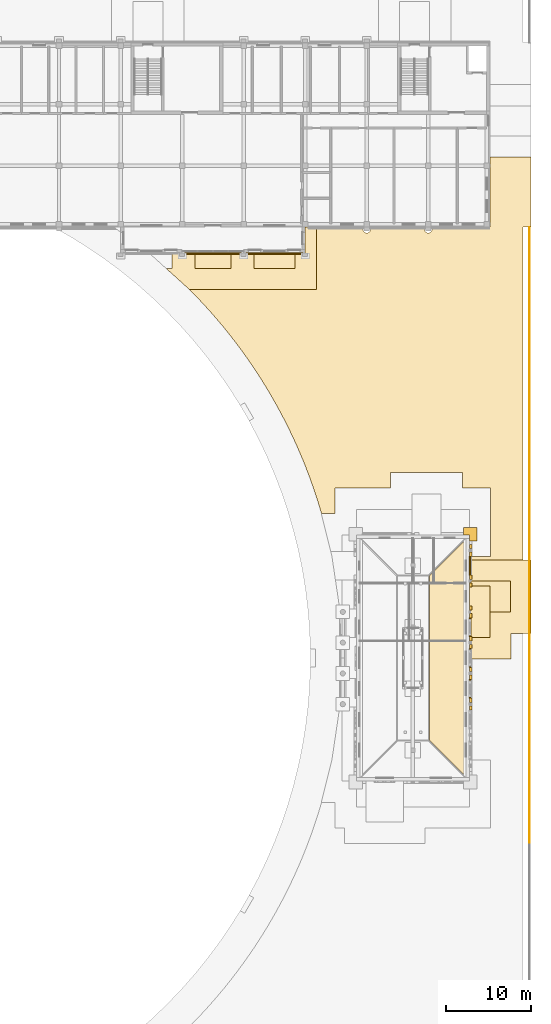
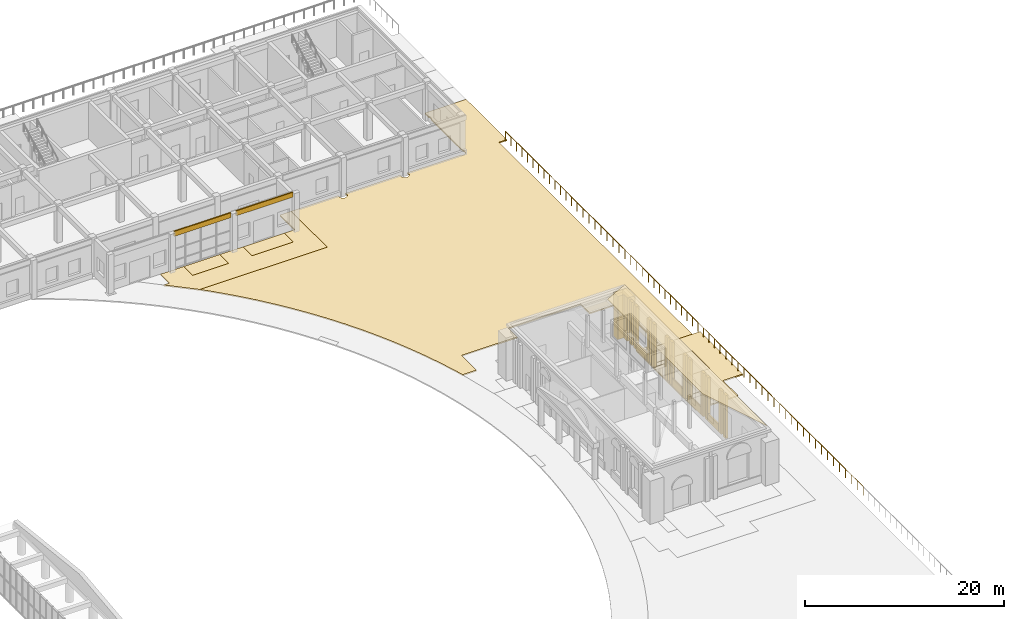
# One storey, part 126 of 131: 27 coverings, 5 railings.
"""IFC4 building model written with IfcOpenShell, lengths in metres."""

import ifcopenshell
import ifcopenshell.guid

model = None  # the IFC model being written
_history = None  # IfcOwnerHistory: only IFC2X3 demands one
_inside = {}  # id of a spatial element -> (the spatial element, [elements in it])
_under = {}  # id of a project, library or spatial element -> (it, [spatial elements below it])
_declared = {}  # id of a project -> (the project, [libraries it declares])
_typed = {}  # id of a type object -> (the type object, [elements of that type])
_made_of = {}  # id of a material, layer set ... -> (it, [elements and type objects made of it])


def new_model(schema):
    """Start an empty IFC model of exactly this schema.

    Asked for "IFC4X3", IfcOpenShell would pick the latest addendum, in which some entities
    have other attributes; the version numbers below select the first issue.
    IFC2X3 requires an IfcOwnerHistory on every rooted entity: one is made here for all.
    """
    global model, _history
    if schema == "IFC4X3":
        model = ifcopenshell.file(schema_version=(4, 3, 0, 0))
    else:
        model = ifcopenshell.file(schema=schema)
    _inside.clear()
    _under.clear()
    _declared.clear()
    _typed.clear()
    _made_of.clear()
    _history = None
    if model.schema == "IFC2X3":
        org = make("IfcOrganization", Name="unknown")
        user = make(
            "IfcPersonAndOrganization",
            ThePerson=make("IfcPerson", FamilyName="unknown"),
            TheOrganization=org,
        )
        app = make(
            "IfcApplication",
            ApplicationDeveloper=org,
            Version="unknown",
            ApplicationFullName="unknown",
            ApplicationIdentifier="unknown",
        )
        _history = make(
            "IfcOwnerHistory",
            OwningUser=user,
            OwningApplication=app,
            ChangeAction="ADDED",
            CreationDate=0,
        )
    return model


def make(cls, **values):
    """One entity of the class cls with the attributes given. An attribute that is None is left unset."""
    return model.create_entity(
        cls, **{name: value for name, value in values.items() if value is not None}
    )


def rooted(cls, **values):
    """An entity with a GlobalId (a new one), such as an element, a storey or a relation."""
    return make(cls, GlobalId=ifcopenshell.guid.new(), OwnerHistory=_history, **values)


def si_unit(unit_type, name, prefix=None):
    """IfcSIUnit, for example si_unit("LENGTHUNIT", "METRE", prefix="MILLI")."""
    return make("IfcSIUnit", UnitType=unit_type, Prefix=prefix, Name=name)


def assignment(units):
    """IfcUnitAssignment: the units of a project."""
    return None if units is None else make("IfcUnitAssignment", Units=units)


def point(xyz):
    """IfcCartesianPoint."""
    return None if xyz is None else make("IfcCartesianPoint", Coordinates=xyz)


def direction(xyz):
    """IfcDirection."""
    return None if xyz is None else make("IfcDirection", DirectionRatios=xyz)


def frame(location, z_axis=None, x_axis=None):
    """IfcAxis2Placement3D, a coordinate frame: its origin and axes. An axis left out is left unset."""
    return make(
        "IfcAxis2Placement3D",
        Location=point(location),
        Axis=direction(z_axis),
        RefDirection=direction(x_axis),
    )


def frame_2d(location, x_axis=None):
    """IfcAxis2Placement2D, a coordinate frame in the plane: its origin and x axis."""
    return make(
        "IfcAxis2Placement2D", Location=point(location), RefDirection=direction(x_axis)
    )


def origin():
    """The frame at (0, 0, 0) with its axes left unset."""
    return frame((0.0, 0.0, 0.0))


def origin_2d():
    """The frame at (0, 0) in the plane with its x axis left unset."""
    return frame_2d((0.0, 0.0))


def place(relative_to, where):
    """IfcLocalPlacement: puts the frame where relative to a parent placement (None: the world)."""
    return make(
        "IfcLocalPlacement", PlacementRelTo=relative_to, RelativePlacement=where
    )


def context(
    kind, dimensions, precision=None, world=None, true_north=None, identifier=None
):
    """IfcGeometricRepresentationContext, for example the 3D "Model" context."""
    return make(
        "IfcGeometricRepresentationContext",
        ContextIdentifier=identifier,
        ContextType=kind,
        CoordinateSpaceDimension=dimensions,
        Precision=precision,
        WorldCoordinateSystem=world,
        TrueNorth=true_north,
    )


def subcontext(parent, identifier, kind, view, scale=None):
    """IfcGeometricRepresentationSubContext, for example "Body" below "Model"."""
    return make(
        "IfcGeometricRepresentationSubContext",
        ContextIdentifier=identifier,
        ContextType=kind,
        ParentContext=parent,
        TargetScale=scale,
        TargetView=view,
    )


def project(units=None, contexts=None):
    """IfcProject with its units and contexts."""
    return rooted(
        "IfcProject",
        Name="project",
        RepresentationContexts=contexts,
        UnitsInContext=assignment(units),
    )


def spatial(cls, under=None, at=None, **own):
    """A site, building, storey or space (cls), placed at a placement, below another one or the project."""
    s = rooted(cls, ObjectPlacement=at, **own)
    if under is not None:
        _under.setdefault(under.id(), (under, []))[1].append(s)
    return s


def polyline(points):
    """IfcPolyline through the points."""
    return make("IfcPolyline", Points=[point(p) for p in points])


def profile(cls, at=None, kind="AREA", **sizes):
    """A parametric profile (cls). Its sizes go by their IFC names, for example OverallWidth=200.0."""
    return make(cls, ProfileType=kind, Position=at, **sizes)


def rectangle(**sizes):
    """IfcRectangleProfileDef."""
    return profile("IfcRectangleProfileDef", **sizes)


def circle(**sizes):
    """IfcCircleProfileDef."""
    return profile("IfcCircleProfileDef", **sizes)


def outline(outer, holes=None, kind="AREA"):
    """IfcArbitraryClosedProfileDef: a profile drawn as a closed curve; with holes, ...WithVoids."""
    if holes is None:
        return make("IfcArbitraryClosedProfileDef", ProfileType=kind, OuterCurve=outer)
    return make(
        "IfcArbitraryProfileDefWithVoids",
        ProfileType=kind,
        OuterCurve=outer,
        InnerCurves=holes,
    )


def extrude(swept, where, along, depth):
    """IfcExtrudedAreaSolid: the profile swept, set in the frame where, extruded along a direction by depth."""
    return make(
        "IfcExtrudedAreaSolid",
        SweptArea=swept,
        Position=where,
        ExtrudedDirection=direction(along),
        Depth=depth,
    )


def shape(context_of_items, identifier, shape_type, items):
    """IfcShapeRepresentation: the items that make up one representation, for example the "Body"."""
    return make(
        "IfcShapeRepresentation",
        ContextOfItems=context_of_items,
        RepresentationIdentifier=identifier,
        RepresentationType=shape_type,
        Items=items,
    )


def material(Name=None, Category=None):
    """IfcMaterial."""
    return make("IfcMaterial", Name=Name, Category=Category)


def layer(
    of_material, thickness, ventilated=None, Name=None, Category=None, Priority=None
):
    """IfcMaterialLayer: one layer of a wall or slab, of a material (None: an air gap)."""
    return make(
        "IfcMaterialLayer",
        Material=of_material,
        LayerThickness=thickness,
        IsVentilated=ventilated,
        Name=Name,
        Category=Category,
        Priority=Priority,
    )


def layer_set(layers, Name=None):
    """IfcMaterialLayerSet."""
    return make("IfcMaterialLayerSet", MaterialLayers=layers, LayerSetName=Name)


def made_of(thing, what):
    """Note that an element or type object is made of a material, layer set ...; save() writes the relation."""
    if what is not None:
        _made_of.setdefault(what.id(), (what, []))[1].append(thing)
    return thing


def type_object(cls, material=None, **own):
    """A type object (cls), such as IfcWallType, which elements share."""
    return made_of(rooted(cls, **own), material)


def element(
    cls,
    number,
    at=None,
    inside=None,
    cuts=None,
    type_object=None,
    material=None,
    context=None,
    identifier="Body",
    shape_type=None,
    held_by="IfcProductDefinitionShape",
    body=None,
    shapes=None,
    **own,
):
    """One element of the class cls, such as IfcWall. Its Tag is "e" and its number.

    at: its placement. inside: the storey or other place that contains it. cuts: it is an
    opening in that element (IfcRelVoidsElement). A single representation is given by context,
    identifier, shape_type and body (its items); several are given by shapes. held_by: the class
    of the entity that holds the representations. save() writes the other relations.
    """
    e = rooted(cls, Tag="e%d" % number, ObjectPlacement=at, **own)
    if body is not None:
        shapes = [shape(context, identifier, shape_type, body)]
    if shapes is not None:
        e.Representation = make(held_by, Representations=shapes)
    if inside is not None:
        _inside.setdefault(inside.id(), (inside, []))[1].append(e)
    if cuts is not None:
        rooted(
            "IfcRelVoidsElement", RelatingBuildingElement=cuts, RelatedOpeningElement=e
        )
    if type_object is not None:
        _typed.setdefault(type_object.id(), (type_object, []))[1].append(e)
    return made_of(e, material)


def aggregate(whole, parts):
    """IfcRelAggregates: a whole, such as a stair, and the parts it consists of."""
    return rooted("IfcRelAggregates", RelatingObject=whole, RelatedObjects=parts)


def save(model, path):
    """Write the relations noted so far, then the file.

    IfcRelAggregates (storeys below a building ...), IfcRelContainedInSpatialStructure (elements
    in a storey), IfcRelDefinesByType, IfcRelAssociatesMaterial and IfcRelDeclares: one each for
    every whole, place, type object, material and project.
    """
    for whole, parts in _under.values():
        aggregate(whole, parts)
    for where, things in _inside.values():
        rooted(
            "IfcRelContainedInSpatialStructure",
            RelatedElements=things,
            RelatingStructure=where,
        )
    for kind, things in _typed.values():
        rooted("IfcRelDefinesByType", RelatedObjects=things, RelatingType=kind)
    for what, things in _made_of.values():
        rooted("IfcRelAssociatesMaterial", RelatedObjects=things, RelatingMaterial=what)
    for by, libraries in _declared.values():
        rooted("IfcRelDeclares", RelatingContext=by, RelatedDefinitions=libraries)
    model.write(path)


model = new_model("IFC4")

# Units and contexts
model_context = context("Model", 3, precision=1e-05, world=origin(), true_north=direction((0.0, 1.0)))
body_context = subcontext(model_context, "Body", "Model", "MODEL_VIEW")
ifc_project = project(units=[si_unit("LENGTHUNIT", "METRE"), si_unit("AREAUNIT", "SQUARE_METRE"), si_unit("VOLUMEUNIT", "CUBIC_METRE"), si_unit("PLANEANGLEUNIT", "RADIAN"), si_unit("MASSUNIT", "GRAM", prefix="KILO")], contexts=[model_context])

# Site, building, storey
site_placement = place(None, origin())
site = spatial("IfcSite", under=ifc_project, at=site_placement, CompositionType="ELEMENT")
building_placement = place(site_placement, origin())
building = spatial("IfcBuilding", under=site, at=building_placement, Name="Alderwick Market Hall", CompositionType="ELEMENT")
storey_placement = place(building_placement, frame((0.0, 0.0, 4.800048828125)))
storey = spatial("IfcBuildingStorey", under=building, at=storey_placement, Name="L00", CompositionType="ELEMENT", Elevation=4.800048828125)

# Coverings
ifc_material_1 = material(Name="Cast stone 5000 psi", Category="masonry")
ifc_layer_1 = layer(ifc_material_1, 0.14990234375)
ifc_layer_set_1 = layer_set([ifc_layer_1], Name="Cast stone 5000 psi")
covering_type_1 = type_object("IfcCoveringType", Name="F String Course Cast Stone 150x600", PredefinedType="CLADDING", material=ifc_layer_set_1)
for number, where, z_axis, x_axis, name in (
    (1, (201.300048828125, 126.52490234375, 4.199951171875), (0.0, 0.0, 1.0), (-1.0, 0.0, 0.0), "F.wall.L00.band.pav1.02"),
    (2, (208.5, 126.52490234375, 4.199951171875), (0.0, 0.0, 1.0), (-1.0, 0.0, 0.0), "F.wall.L00.band.pav1.03"),
):
    element("IfcCovering", number, at=place(storey_placement, frame(where, z_axis=z_axis, x_axis=x_axis)), inside=storey, type_object=covering_type_1, Name=name, PredefinedType="CLADDING", context=body_context, shape_type="SweptSolid", body=[
        extrude(rectangle(XDim=6.60009765625, YDim=0.14990234375, at=frame_2d((3.300048828125, 0.0))), origin(), (0.0, 0.0, 1.0), 0.60009765625),
    ])
ifc_layer_2 = layer(ifc_material_1, 0.14990234375)
ifc_layer_set_2 = layer_set([ifc_layer_2], Name="Cast stone 5000 psi")
covering_type_2 = type_object("IfcCoveringType", Name="G Base course 150", PredefinedType="CLADDING", material=ifc_layer_set_2)
covering_1_placement = place(storey_placement, origin())
element("IfcCovering", 3, at=covering_1_placement, inside=storey, type_object=covering_type_2, Name="Base course E3", PredefinedType="CLADDING", context=body_context, shape_type="SweptSolid", body=[
    extrude(outline(polyline([(228.0, 74.5), (228.14990234375, 74.5), (228.14990234375, 76.699951171875), (228.0, 76.699951171875), (228.0, 74.5)])), origin(), (0.0, 0.0, 1.0), 0.89990234375),
])
covering_2_placement = place(storey_placement, origin())
element("IfcCovering", 4, at=covering_2_placement, inside=storey, type_object=covering_type_2, Name="Base course E4", PredefinedType="CLADDING", context=body_context, shape_type="SweptSolid", body=[
    extrude(outline(polyline([(228.0, 78.10009765625), (228.14990234375, 78.10009765625), (228.14990234375, 80.300048828125), (228.0, 80.300048828125), (228.0, 78.10009765625)])), origin(), (0.0, 0.0, 1.0), 0.89990234375),
])
covering_3_placement = place(storey_placement, origin())
element("IfcCovering", 5, at=covering_3_placement, inside=storey, type_object=covering_type_2, Name="Base course E5", PredefinedType="CLADDING", context=body_context, shape_type="SweptSolid", body=[
    extrude(outline(polyline([(228.0, 81.699951171875), (228.14990234375, 81.699951171875), (228.14990234375, 83.89990234375), (228.0, 83.89990234375), (228.0, 81.699951171875)])), origin(), (0.0, 0.0, 1.0), 0.89990234375),
])
covering_4_placement = place(storey_placement, origin())
element("IfcCovering", 6, at=covering_4_placement, inside=storey, type_object=covering_type_2, Name="Base course E7", PredefinedType="CLADDING", context=body_context, shape_type="SweptSolid", body=[
    extrude(outline(polyline([(228.0, 88.89990234375), (228.14990234375, 88.89990234375), (228.14990234375, 91.10009765625), (228.0, 91.10009765625), (228.0, 88.89990234375)])), origin(), (0.0, 0.0, 1.0), 0.89990234375),
])
ifc_material_2 = material(Name="Copper standing seam roofing")
ifc_layer_3 = layer(ifc_material_2, 0.00390625)
ifc_layer_set_3 = layer_set([ifc_layer_3], Name="Copper standing seam roofing")
covering_type_3 = type_object("IfcCoveringType", Name="G Copper roofing 4 mm", PredefinedType="ROOFING", material=ifc_layer_set_3)
covering_5_placement = place(storey_placement, frame((228.126953125, 64.800048828125, 6.52001953125), z_axis=(0.499990629522, 0.0, 0.866030813765), x_axis=(0.0, 1.0, 0.0)))
element("IfcCovering", 7, at=covering_5_placement, inside=storey, type_object=covering_type_3, Name="Copper roofing E", PredefinedType="ROOFING", context=body_context, shape_type="SweptSolid", body=[
    extrude(outline(polyline([(0.0, 0.0), (28.800048828125, 0.0), (24.0, 5.54258434207392), (4.800048828125, 5.54258434207392), (0.0, 0.0)])), origin(), (0.0, 0.0, -1.0), 0.00390625),
])
ifc_material_3 = material(Name="Granite setts on concrete bed", Category="masonry")
ifc_layer_4 = layer(ifc_material_3, 0.199951171875)
ifc_layer_set_4 = layer_set([ifc_layer_4], Name="Granite setts on concrete bed")
covering_type_4 = type_object("IfcCoveringType", Name="G Paving 200", PredefinedType="USERDEFINED", material=ifc_layer_set_4)
covering_6_placement = place(storey_placement, frame((0.0, 0.0, -0.199951171875)))
element("IfcCovering", 8, at=covering_6_placement, inside=storey, type_object=covering_type_4, Name="Pavilion bin yard paving", ObjectType="PAVING", PredefinedType="USERDEFINED", context=body_context, shape_type="SweptSolid", body=[
    extrude(outline(polyline([(228.0, 81.60009765625), (230.39990234375, 81.60009765625), (230.39990234375, 87.60009765625), (228.0, 87.60009765625), (228.0, 81.60009765625)])), origin(), (0.0, 0.0, 1.0), 0.199951171875),
])
ifc_layer_5 = layer(ifc_material_1, 0.300048828125)
ifc_layer_set_5 = layer_set([ifc_layer_5], Name="Cast stone 5000 psi")
covering_type_5 = type_object("IfcCoveringType", Name="G Pilaster 500", PredefinedType="CLADDING", material=ifc_layer_set_5)
covering_7_placement = place(storey_placement, origin())
element("IfcCovering", 9, at=covering_7_placement, inside=storey, type_object=covering_type_5, Name="Pilaster E3", PredefinedType="CLADDING", context=body_context, shape_type="SweptSolid", body=[
    extrude(outline(polyline([(228.0, 73.10009765625), (228.300048828125, 73.10009765625), (228.300048828125, 73.60009765625), (228.0, 73.60009765625), (228.0, 73.10009765625)])), origin(), (0.0, 0.0, 1.0), 5.300048828125),
])
covering_8_placement = place(storey_placement, origin())
element("IfcCovering", 10, at=covering_8_placement, inside=storey, type_object=covering_type_5, Name="Pilaster E3", PredefinedType="CLADDING", context=body_context, shape_type="SweptSolid", body=[
    extrude(outline(polyline([(228.0, 74.0), (228.300048828125, 74.0), (228.300048828125, 74.5), (228.0, 74.5), (228.0, 74.0)])), origin(), (0.0, 0.0, 1.0), 5.300048828125),
])
covering_9_placement = place(storey_placement, origin())
element("IfcCovering", 11, at=covering_9_placement, inside=storey, type_object=covering_type_5, Name="Pilaster E4", PredefinedType="CLADDING", context=body_context, shape_type="SweptSolid", body=[
    extrude(outline(polyline([(228.0, 76.699951171875), (228.300048828125, 76.699951171875), (228.300048828125, 77.199951171875), (228.0, 77.199951171875), (228.0, 76.699951171875)])), origin(), (0.0, 0.0, 1.0), 5.300048828125),
])
covering_10_placement = place(storey_placement, origin())
element("IfcCovering", 12, at=covering_10_placement, inside=storey, type_object=covering_type_5, Name="Pilaster E4", PredefinedType="CLADDING", context=body_context, shape_type="SweptSolid", body=[
    extrude(outline(polyline([(228.0, 77.60009765625), (228.300048828125, 77.60009765625), (228.300048828125, 78.10009765625), (228.0, 78.10009765625), (228.0, 77.60009765625)])), origin(), (0.0, 0.0, 1.0), 5.300048828125),
])
covering_11_placement = place(storey_placement, origin())
element("IfcCovering", 13, at=covering_11_placement, inside=storey, type_object=covering_type_5, Name="Pilaster E5", PredefinedType="CLADDING", context=body_context, shape_type="SweptSolid", body=[
    extrude(outline(polyline([(228.0, 80.300048828125), (228.300048828125, 80.300048828125), (228.300048828125, 80.800048828125), (228.0, 80.800048828125), (228.0, 80.300048828125)])), origin(), (0.0, 0.0, 1.0), 5.300048828125),
])
covering_12_placement = place(storey_placement, origin())
element("IfcCovering", 14, at=covering_12_placement, inside=storey, type_object=covering_type_5, Name="Pilaster E5", PredefinedType="CLADDING", context=body_context, shape_type="SweptSolid", body=[
    extrude(outline(polyline([(228.0, 81.199951171875), (228.300048828125, 81.199951171875), (228.300048828125, 81.699951171875), (228.0, 81.699951171875), (228.0, 81.199951171875)])), origin(), (0.0, 0.0, 1.0), 5.300048828125),
])
covering_13_placement = place(storey_placement, origin())
element("IfcCovering", 15, at=covering_13_placement, inside=storey, type_object=covering_type_5, Name="Pilaster E6", PredefinedType="CLADDING", context=body_context, shape_type="SweptSolid", body=[
    extrude(outline(polyline([(228.0, 83.89990234375), (228.300048828125, 83.89990234375), (228.300048828125, 84.39990234375), (228.0, 84.39990234375), (228.0, 83.89990234375)])), origin(), (0.0, 0.0, 1.0), 5.300048828125),
])
covering_14_placement = place(storey_placement, origin())
element("IfcCovering", 16, at=covering_14_placement, inside=storey, type_object=covering_type_5, Name="Pilaster E6", PredefinedType="CLADDING", context=body_context, shape_type="SweptSolid", body=[
    extrude(outline(polyline([(228.0, 84.800048828125), (228.300048828125, 84.800048828125), (228.300048828125, 85.300048828125), (228.0, 85.300048828125), (228.0, 84.800048828125)])), origin(), (0.0, 0.0, 1.0), 5.300048828125),
])
covering_15_placement = place(storey_placement, origin())
element("IfcCovering", 17, at=covering_15_placement, inside=storey, type_object=covering_type_5, Name="Pilaster E7", PredefinedType="CLADDING", context=body_context, shape_type="SweptSolid", body=[
    extrude(outline(polyline([(228.0, 87.5), (228.300048828125, 87.5), (228.300048828125, 88.0), (228.0, 88.0), (228.0, 87.5)])), origin(), (0.0, 0.0, 1.0), 5.300048828125),
])
covering_16_placement = place(storey_placement, origin())
element("IfcCovering", 18, at=covering_16_placement, inside=storey, type_object=covering_type_5, Name="Pilaster E7", PredefinedType="CLADDING", context=body_context, shape_type="SweptSolid", body=[
    extrude(outline(polyline([(228.0, 88.39990234375), (228.300048828125, 88.39990234375), (228.300048828125, 88.89990234375), (228.0, 88.89990234375), (228.0, 88.39990234375)])), origin(), (0.0, 0.0, 1.0), 5.300048828125),
])
covering_17_placement = place(storey_placement, origin())
element("IfcCovering", 19, at=covering_17_placement, inside=storey, type_object=covering_type_5, Name="Pilaster E8", PredefinedType="CLADDING", context=body_context, shape_type="SweptSolid", body=[
    extrude(outline(polyline([(228.0, 91.10009765625), (228.300048828125, 91.10009765625), (228.300048828125, 91.60009765625), (228.0, 91.60009765625), (228.0, 91.10009765625)])), origin(), (0.0, 0.0, 1.0), 5.300048828125),
])
covering_18_placement = place(storey_placement, origin())
element("IfcCovering", 20, at=covering_18_placement, inside=storey, type_object=covering_type_5, Name="Pilaster E8", PredefinedType="CLADDING", context=body_context, shape_type="SweptSolid", body=[
    extrude(outline(polyline([(228.0, 92.0), (228.300048828125, 92.0), (228.300048828125, 92.5), (228.0, 92.5), (228.0, 92.0)])), origin(), (0.0, 0.0, 1.0), 5.300048828125),
])
ifc_layer_6 = layer(ifc_material_1, 0.300048828125)
ifc_layer_set_6 = layer_set([ifc_layer_6], Name="Cast stone 5000 psi")
covering_type_6 = type_object("IfcCoveringType", Name="G Quoin", PredefinedType="CLADDING", material=ifc_layer_set_6)
covering_19_placement = place(storey_placement, origin())
element("IfcCovering", 21, at=covering_19_placement, inside=storey, type_object=covering_type_6, Name="Corner quoin 4", PredefinedType="CLADDING", context=body_context, shape_type="SweptSolid", body=[
    extrude(outline(polyline([(227.300048828125, 94.5), (228.89990234375, 94.5), (228.89990234375, 92.89990234375), (228.0, 92.89990234375), (228.0, 93.60009765625), (227.300048828125, 93.60009765625), (227.300048828125, 94.5)])), origin(), (0.0, 0.0, 1.0), 5.300048828125),
])
ifc_layer_7 = layer(ifc_material_3, 0.14990234375)
ifc_layer_set_7 = layer_set([ifc_layer_7], Name="Granite setts on concrete bed")
covering_type_7 = type_object("IfcCoveringType", Name="S Forecourt Paving 150", PredefinedType="USERDEFINED", material=ifc_layer_set_7)
covering_20_placement = place(storey_placement, frame((0.0, 0.0, -0.150146484375)))
element("IfcCovering", 22, at=covering_20_placement, inside=storey, type_object=covering_type_7, Name="Forecourt 03", ObjectType="PAVING", PredefinedType="USERDEFINED", context=body_context, shape_type="SweptSolid", body=[
    extrude(outline(polyline([(232.800048828125, 84.60009765625), (232.800048828125, 88.199951171875), (228.0, 88.199951171875), (228.0, 84.60009765625), (232.800048828125, 84.60009765625)])), origin(), (0.0, 0.0, 1.0), 0.150146484375),
])
covering_21_placement = place(storey_placement, frame((0.0, 0.0, -0.150146484375)))
element("IfcCovering", 23, at=covering_21_placement, inside=storey, type_object=covering_type_7, Name="Forecourt 13", ObjectType="PAVING", PredefinedType="USERDEFINED", context=body_context, shape_type="SweptSolid", body=[
    extrude(outline(polyline([(202.800048828125, 126.60009765625), (202.800048828125, 124.800048828125), (207.60009765625, 124.800048828125), (207.60009765625, 126.60009765625), (202.800048828125, 126.60009765625)])), origin(), (0.0, 0.0, 1.0), 0.150146484375),
])
covering_22_placement = place(storey_placement, frame((0.0, 0.0, -0.150146484375)))
element("IfcCovering", 24, at=covering_22_placement, inside=storey, type_object=covering_type_7, Name="Forecourt 15", ObjectType="PAVING", PredefinedType="USERDEFINED", context=body_context, shape_type="SweptSolid", body=[
    extrude(outline(polyline([(195.89990234375, 126.60009765625), (195.89990234375, 124.800048828125), (200.10009765625, 124.800048828125), (200.10009765625, 126.60009765625), (195.89990234375, 126.60009765625)])), origin(), (0.0, 0.0, 1.0), 0.150146484375),
])
ifc_material_4 = material(Name="Compacted gravel and turf on till")
ifc_layer_8 = layer(ifc_material_4, 0.14990234375)
ifc_layer_set_8 = layer_set([ifc_layer_8], Name="Compacted gravel and turf on till")
covering_type_8 = type_object("IfcCoveringType", Name="S Ground Paving 150", PredefinedType="USERDEFINED", material=ifc_layer_set_8)
covering_23_placement = place(storey_placement, frame((0.0, 0.0, -0.150146484375)))
element("IfcCovering", 25, at=covering_23_placement, inside=storey, type_object=covering_type_8, Name="Ground 03", ObjectType="GROUND", PredefinedType="USERDEFINED", context=body_context, shape_type="SweptSolid", body=[
    extrude(outline(polyline([(235.199951171875, 137.800048828125), (230.39990234375, 137.800048828125), (230.39990234375, 137.070556640625), (230.4658203125, 136.97216796875), (230.5, 136.800048828125), (230.4658203125, 136.627685546875), (230.39990234375, 136.529296875), (230.39990234375, 130.220703125), (230.4658203125, 130.122314453125), (230.5, 129.949951171875), (230.4658203125, 129.77783203125), (230.39990234375, 129.679443359375), (230.39990234375, 129.60009765625), (230.320556640625, 129.60009765625), (230.22216796875, 129.5341796875), (230.050048828125, 129.5), (229.877685546875, 129.5341796875), (229.779296875, 129.60009765625), (223.58056640625, 129.60009765625), (223.61572265625, 129.547119140625), (223.64990234375, 129.375), (223.61572265625, 129.202880859375), (223.518310546875, 129.056884765625), (223.372314453125, 128.959228515625), (223.199951171875, 128.925048828125), (223.02783203125, 128.959228515625), (222.8818359375, 129.056884765625), (222.7841796875, 129.202880859375), (222.75, 129.375), (222.7841796875, 129.547119140625), (222.819580078125, 129.60009765625), (216.380615234375, 129.60009765625), (216.415771484375, 129.547119140625), (216.449951171875, 129.375), (216.415771484375, 129.202880859375), (216.318115234375, 129.056884765625), (216.172119140625, 128.959228515625), (216.0, 128.925048828125), (215.827880859375, 128.959228515625), (215.681884765625, 129.056884765625), (215.584228515625, 129.202880859375), (215.550048828125, 129.375), (215.584228515625, 129.547119140625), (215.619384765625, 129.60009765625), (210.10009765625, 129.60009765625), (210.10009765625, 127.0), (210.10009765625, 122.300048828125), (202.60009765625, 122.300048828125), (200.300048828125, 122.300048828125), (195.699951171875, 122.300048828125), (195.27734375, 122.300048828125), (195.4072265625, 122.15673828125), (195.979736328125, 121.57421875), (196.712646484375, 120.802001953125), (197.431884765625, 120.01708984375), (198.13720703125, 119.219482421875), (198.82861328125, 118.409912109375), (199.08642578125, 118.097412109375), (199.261474609375, 117.904296875), (199.4033203125, 117.712890625), (199.505859375, 117.58837890625), (200.168701171875, 116.75537109375), (200.81689453125, 115.91064453125), (201.449951171875, 115.054931640625), (202.068359375, 114.188232421875), (202.67138671875, 113.310791015625), (202.697265625, 113.271484375), (202.827880859375, 113.09521484375), (202.962890625, 112.870361328125), (203.2587890625, 112.423095703125), (203.830810546875, 111.525146484375), (204.38720703125, 110.6171875), (204.927490234375, 109.699951171875), (205.451904296875, 108.7734375), (205.77294921875, 108.181884765625), (205.906005859375, 107.9599609375), (206.00341796875, 107.75439453125), (206.451416015625, 106.893310546875), (206.926513671875, 105.940673828125), (207.384765625, 104.979736328125), (207.826416015625, 104.010986328125), (208.250732421875, 103.03466796875), (208.3583984375, 102.774658203125), (208.4658203125, 102.547607421875), (208.550537109375, 102.310791015625), (208.658203125, 102.051025390625), (209.04833984375, 101.060302734375), (209.421142578125, 100.063232421875), (209.776611328125, 99.059814453125), (210.114501953125, 98.050048828125), (210.40625, 97.12451171875), (210.48291015625, 96.910400390625), (210.545654296875, 96.65966796875), (210.71142578125, 96.10009765625), (212.300048828125, 96.10009765625), (212.300048828125, 99.10009765625), (218.800048828125, 99.10009765625), (218.800048828125, 100.89990234375), (227.199951171875, 100.89990234375), (227.199951171875, 99.10009765625), (230.5, 99.10009765625), (230.5, 91.10009765625), (228.0, 91.10009765625), (228.0, 90.699951171875), (234.2900390625, 90.699951171875), (234.2900390625, 129.60009765625), (234.2900390625, 129.60107421875), (234.290283203125, 129.60205078125), (234.290283203125, 129.602783203125), (234.290771484375, 129.603759765625), (234.291259765625, 129.604736328125), (234.291748046875, 129.605712890625), (234.292236328125, 129.606201171875), (234.29296875, 129.607177734375), (234.293701171875, 129.607666015625), (234.29443359375, 129.6083984375), (234.29541015625, 129.60888671875), (234.296142578125, 129.609130859375), (234.297119140625, 129.609619140625), (234.298095703125, 129.60986328125), (234.299072265625, 129.610107421875), (234.300048828125, 129.610107421875), (235.199951171875, 129.610107421875), (235.199951171875, 137.800048828125)])), origin(), (0.0, 0.0, 1.0), 0.150146484375),
])

# Railings
ifc_material_5 = material(Name="Steel ASTM A500 Grade C", Category="steel")
railing_type = type_object("IfcRailingType", Name="S Guard 1100", PredefinedType="GUARDRAIL", material=ifc_material_5)
railing_1_placement = place(storey_placement, frame((235.050048828125, 57.60009765625, 0.0)))
element("IfcRailing", 26, at=railing_1_placement, inside=storey, type_object=railing_type, Name="Guard E04c", PredefinedType="GUARDRAIL", context=body_context, shape_type="SweptSolid", body=[
    extrude(circle(Radius=0.02490234375, at=origin_2d()), frame((0.0, 0.0, 1.0751953125), z_axis=(0.0, 1.0, 0.0), x_axis=(-1.0, 0.0, 0.0)), (0.0, 0.0, 1.0), 14.39990234375),
    extrude(circle(Radius=0.02001953125, at=origin_2d()), origin(), (0.0, 0.0, 1.0), 1.050048828125),
    extrude(circle(Radius=0.02001953125, at=origin_2d()), frame((0.0, 1.199951171875, 0.0)), (0.0, 0.0, 1.0), 1.050048828125),
    extrude(circle(Radius=0.02001953125, at=origin_2d()), frame((0.0, 2.39990234375, 0.0)), (0.0, 0.0, 1.0), 1.050048828125),
    extrude(circle(Radius=0.02001953125, at=origin_2d()), frame((0.0, 3.60009765625, 0.0)), (0.0, 0.0, 1.0), 1.050048828125),
    extrude(circle(Radius=0.02001953125, at=origin_2d()), frame((0.0, 4.800048828125, 0.0)), (0.0, 0.0, 1.0), 1.050048828125),
    extrude(circle(Radius=0.02001953125, at=origin_2d()), frame((0.0, 6.0, 0.0)), (0.0, 0.0, 1.0), 1.050048828125),
    extrude(circle(Radius=0.02001953125, at=origin_2d()), frame((0.0, 7.199951171875, 0.0)), (0.0, 0.0, 1.0), 1.050048828125),
    extrude(circle(Radius=0.02001953125, at=origin_2d()), frame((0.0, 8.39990234375, 0.0)), (0.0, 0.0, 1.0), 1.050048828125),
    extrude(circle(Radius=0.02001953125, at=origin_2d()), frame((0.0, 9.599853515625, 0.0)), (0.0, 0.0, 1.0), 1.050048828125),
    extrude(circle(Radius=0.02001953125, at=origin_2d()), frame((0.0, 10.7998046875, 0.0)), (0.0, 0.0, 1.0), 1.050048828125),
    extrude(circle(Radius=0.02001953125, at=origin_2d()), frame((0.0, 12.0, 0.0)), (0.0, 0.0, 1.0), 1.050048828125),
    extrude(circle(Radius=0.02001953125, at=origin_2d()), frame((0.0, 13.199951171875, 0.0)), (0.0, 0.0, 1.0), 1.050048828125),
    extrude(circle(Radius=0.02001953125, at=origin_2d()), frame((0.0, 14.39990234375, 0.0)), (0.0, 0.0, 1.0), 1.050048828125),
])
railing_2_placement = place(storey_placement, frame((235.050048828125, 72.0, 0.0)))
element("IfcRailing", 27, at=railing_2_placement, inside=storey, type_object=railing_type, Name="Guard E04d", PredefinedType="GUARDRAIL", context=body_context, shape_type="SweptSolid", body=[
    extrude(circle(Radius=0.02490234375, at=origin_2d()), frame((0.0, 0.0, 1.0751953125), z_axis=(0.0, 1.0, 0.0), x_axis=(-1.0, 0.0, 0.0)), (0.0, 0.0, 1.0), 14.39990234375),
    extrude(circle(Radius=0.02001953125, at=origin_2d()), origin(), (0.0, 0.0, 1.0), 1.050048828125),
    extrude(circle(Radius=0.02001953125, at=origin_2d()), frame((0.0, 1.199951171875, 0.0)), (0.0, 0.0, 1.0), 1.050048828125),
    extrude(circle(Radius=0.02001953125, at=origin_2d()), frame((0.0, 2.39990234375, 0.0)), (0.0, 0.0, 1.0), 1.050048828125),
    extrude(circle(Radius=0.02001953125, at=origin_2d()), frame((0.0, 3.60009765625, 0.0)), (0.0, 0.0, 1.0), 1.050048828125),
    extrude(circle(Radius=0.02001953125, at=origin_2d()), frame((0.0, 4.800048828125, 0.0)), (0.0, 0.0, 1.0), 1.050048828125),
    extrude(circle(Radius=0.02001953125, at=origin_2d()), frame((0.0, 6.0, 0.0)), (0.0, 0.0, 1.0), 1.050048828125),
    extrude(circle(Radius=0.02001953125, at=origin_2d()), frame((0.0, 7.199951171875, 0.0)), (0.0, 0.0, 1.0), 1.050048828125),
    extrude(circle(Radius=0.02001953125, at=origin_2d()), frame((0.0, 8.39990234375, 0.0)), (0.0, 0.0, 1.0), 1.050048828125),
    extrude(circle(Radius=0.02001953125, at=origin_2d()), frame((0.0, 9.599853515625, 0.0)), (0.0, 0.0, 1.0), 1.050048828125),
    extrude(circle(Radius=0.02001953125, at=origin_2d()), frame((0.0, 10.7998046875, 0.0)), (0.0, 0.0, 1.0), 1.050048828125),
    extrude(circle(Radius=0.02001953125, at=origin_2d()), frame((0.0, 12.0, 0.0)), (0.0, 0.0, 1.0), 1.050048828125),
    extrude(circle(Radius=0.02001953125, at=origin_2d()), frame((0.0, 13.199951171875, 0.0)), (0.0, 0.0, 1.0), 1.050048828125),
    extrude(circle(Radius=0.02001953125, at=origin_2d()), frame((0.0, 14.39990234375, 0.0)), (0.0, 0.0, 1.0), 1.050048828125),
])
railing_3_placement = place(storey_placement, frame((235.050048828125, 86.39990234375, 0.0)))
element("IfcRailing", 28, at=railing_3_placement, inside=storey, type_object=railing_type, Name="Guard E04e", PredefinedType="GUARDRAIL", context=body_context, shape_type="SweptSolid", body=[
    extrude(circle(Radius=0.02490234375, at=origin_2d()), frame((0.0, 0.0, 1.0751953125), z_axis=(0.0, 1.0, 0.0), x_axis=(-1.0, 0.0, 0.0)), (0.0, 0.0, 1.0), 14.400146484375),
    extrude(circle(Radius=0.02001953125, at=origin_2d()), origin(), (0.0, 0.0, 1.0), 1.050048828125),
    extrude(circle(Radius=0.02001953125, at=origin_2d()), frame((0.0, 1.107666015625, 0.0)), (0.0, 0.0, 1.0), 1.050048828125),
    extrude(circle(Radius=0.02001953125, at=origin_2d()), frame((0.0, 2.21533203125, 0.0)), (0.0, 0.0, 1.0), 1.050048828125),
    extrude(circle(Radius=0.02001953125, at=origin_2d()), frame((0.0, 3.322998046875, 0.0)), (0.0, 0.0, 1.0), 1.050048828125),
    extrude(circle(Radius=0.02001953125, at=origin_2d()), frame((0.0, 4.430908203125, 0.0)), (0.0, 0.0, 1.0), 1.050048828125),
    extrude(circle(Radius=0.02001953125, at=origin_2d()), frame((0.0, 5.53857421875, 0.0)), (0.0, 0.0, 1.0), 1.050048828125),
    extrude(circle(Radius=0.02001953125, at=origin_2d()), frame((0.0, 6.646240234375, 0.0)), (0.0, 0.0, 1.0), 1.050048828125),
    extrude(circle(Radius=0.02001953125, at=origin_2d()), frame((0.0, 7.75390625, 0.0)), (0.0, 0.0, 1.0), 1.050048828125),
    extrude(circle(Radius=0.02001953125, at=origin_2d()), frame((0.0, 8.861572265625, 0.0)), (0.0, 0.0, 1.0), 1.050048828125),
    extrude(circle(Radius=0.02001953125, at=origin_2d()), frame((0.0, 9.96923828125, 0.0)), (0.0, 0.0, 1.0), 1.050048828125),
    extrude(circle(Radius=0.02001953125, at=origin_2d()), frame((0.0, 11.0771484375, 0.0)), (0.0, 0.0, 1.0), 1.050048828125),
    extrude(circle(Radius=0.02001953125, at=origin_2d()), frame((0.0, 12.184814453125, 0.0)), (0.0, 0.0, 1.0), 1.050048828125),
    extrude(circle(Radius=0.02001953125, at=origin_2d()), frame((0.0, 13.29248046875, 0.0)), (0.0, 0.0, 1.0), 1.050048828125),
    extrude(circle(Radius=0.02001953125, at=origin_2d()), frame((0.0, 14.400146484375, 0.0)), (0.0, 0.0, 1.0), 1.050048828125),
])
railing_4_placement = place(storey_placement, frame((235.050048828125, 100.800048828125, 0.0)))
element("IfcRailing", 29, at=railing_4_placement, inside=storey, type_object=railing_type, Name="Guard E04f", PredefinedType="GUARDRAIL", context=body_context, shape_type="SweptSolid", body=[
    extrude(circle(Radius=0.02490234375, at=origin_2d()), frame((0.0, 0.0, 1.0751953125), z_axis=(0.0, 1.0, 0.0), x_axis=(-1.0, 0.0, 0.0)), (0.0, 0.0, 1.0), 14.39990234375),
    extrude(circle(Radius=0.02001953125, at=origin_2d()), origin(), (0.0, 0.0, 1.0), 1.050048828125),
    extrude(circle(Radius=0.02001953125, at=origin_2d()), frame((0.0, 1.199951171875, 0.0)), (0.0, 0.0, 1.0), 1.050048828125),
    extrude(circle(Radius=0.02001953125, at=origin_2d()), frame((0.0, 2.39990234375, 0.0)), (0.0, 0.0, 1.0), 1.050048828125),
    extrude(circle(Radius=0.02001953125, at=origin_2d()), frame((0.0, 3.60009765625, 0.0)), (0.0, 0.0, 1.0), 1.050048828125),
    extrude(circle(Radius=0.02001953125, at=origin_2d()), frame((0.0, 4.800048828125, 0.0)), (0.0, 0.0, 1.0), 1.050048828125),
    extrude(circle(Radius=0.02001953125, at=origin_2d()), frame((0.0, 6.0, 0.0)), (0.0, 0.0, 1.0), 1.050048828125),
    extrude(circle(Radius=0.02001953125, at=origin_2d()), frame((0.0, 7.199951171875, 0.0)), (0.0, 0.0, 1.0), 1.050048828125),
    extrude(circle(Radius=0.02001953125, at=origin_2d()), frame((0.0, 8.39990234375, 0.0)), (0.0, 0.0, 1.0), 1.050048828125),
    extrude(circle(Radius=0.02001953125, at=origin_2d()), frame((0.0, 9.599853515625, 0.0)), (0.0, 0.0, 1.0), 1.050048828125),
    extrude(circle(Radius=0.02001953125, at=origin_2d()), frame((0.0, 10.7998046875, 0.0)), (0.0, 0.0, 1.0), 1.050048828125),
    extrude(circle(Radius=0.02001953125, at=origin_2d()), frame((0.0, 12.0, 0.0)), (0.0, 0.0, 1.0), 1.050048828125),
    extrude(circle(Radius=0.02001953125, at=origin_2d()), frame((0.0, 13.199951171875, 0.0)), (0.0, 0.0, 1.0), 1.050048828125),
    extrude(circle(Radius=0.02001953125, at=origin_2d()), frame((0.0, 14.39990234375, 0.0)), (0.0, 0.0, 1.0), 1.050048828125),
])
railing_5_placement = place(storey_placement, frame((235.050048828125, 115.199951171875, 0.0)))
element("IfcRailing", 30, at=railing_5_placement, inside=storey, type_object=railing_type, Name="Guard E04g", PredefinedType="GUARDRAIL", context=body_context, shape_type="SweptSolid", body=[
    extrude(circle(Radius=0.02490234375, at=origin_2d()), frame((0.0, 0.0, 1.0751953125), z_axis=(0.0, 1.0, 0.0), x_axis=(-1.0, 0.0, 0.0)), (0.0, 0.0, 1.0), 14.400146484375),
    extrude(circle(Radius=0.02001953125, at=origin_2d()), origin(), (0.0, 0.0, 1.0), 1.050048828125),
    extrude(circle(Radius=0.02001953125, at=origin_2d()), frame((0.0, 1.107666015625, 0.0)), (0.0, 0.0, 1.0), 1.050048828125),
    extrude(circle(Radius=0.02001953125, at=origin_2d()), frame((0.0, 2.21533203125, 0.0)), (0.0, 0.0, 1.0), 1.050048828125),
    extrude(circle(Radius=0.02001953125, at=origin_2d()), frame((0.0, 3.322998046875, 0.0)), (0.0, 0.0, 1.0), 1.050048828125),
    extrude(circle(Radius=0.02001953125, at=origin_2d()), frame((0.0, 4.430908203125, 0.0)), (0.0, 0.0, 1.0), 1.050048828125),
    extrude(circle(Radius=0.02001953125, at=origin_2d()), frame((0.0, 5.53857421875, 0.0)), (0.0, 0.0, 1.0), 1.050048828125),
    extrude(circle(Radius=0.02001953125, at=origin_2d()), frame((0.0, 6.646240234375, 0.0)), (0.0, 0.0, 1.0), 1.050048828125),
    extrude(circle(Radius=0.02001953125, at=origin_2d()), frame((0.0, 7.75390625, 0.0)), (0.0, 0.0, 1.0), 1.050048828125),
    extrude(circle(Radius=0.02001953125, at=origin_2d()), frame((0.0, 8.861572265625, 0.0)), (0.0, 0.0, 1.0), 1.050048828125),
    extrude(circle(Radius=0.02001953125, at=origin_2d()), frame((0.0, 9.96923828125, 0.0)), (0.0, 0.0, 1.0), 1.050048828125),
    extrude(circle(Radius=0.02001953125, at=origin_2d()), frame((0.0, 11.0771484375, 0.0)), (0.0, 0.0, 1.0), 1.050048828125),
    extrude(circle(Radius=0.02001953125, at=origin_2d()), frame((0.0, 12.184814453125, 0.0)), (0.0, 0.0, 1.0), 1.050048828125),
    extrude(circle(Radius=0.02001953125, at=origin_2d()), frame((0.0, 13.29248046875, 0.0)), (0.0, 0.0, 1.0), 1.050048828125),
    extrude(circle(Radius=0.02001953125, at=origin_2d()), frame((0.0, 14.400146484375, 0.0)), (0.0, 0.0, 1.0), 1.050048828125),
])

# Coverings
ifc_material_6 = material(Name="Turf on topsoil")
ifc_layer_9 = layer(ifc_material_6, 0.14990234375)
ifc_layer_set_9 = layer_set([ifc_layer_9], Name="Turf on topsoil")
covering_type_9 = type_object("IfcCoveringType", Name="S Lawn Turf 150", PredefinedType="USERDEFINED", material=ifc_layer_set_9)
covering_24_placement = place(storey_placement, frame((0.0, 0.0, -0.150146484375)))
element("IfcCovering", 31, at=covering_24_placement, inside=storey, type_object=covering_type_9, Name="Lawn 05", ObjectType="LAWN", PredefinedType="USERDEFINED", context=body_context, shape_type="SweptSolid", body=[
    extrude(outline(polyline([(230.39990234375, 84.60009765625), (230.39990234375, 81.60009765625), (228.0, 81.60009765625), (228.0, 79.10009765625), (232.89990234375, 79.10009765625), (232.89990234375, 82.10009765625), (235.199951171875, 82.10009765625), (235.199951171875, 90.699951171875), (228.0, 90.699951171875), (228.0, 88.199951171875), (232.800048828125, 88.199951171875), (232.800048828125, 84.60009765625), (230.39990234375, 84.60009765625)])), origin(), (0.0, 0.0, 1.0), 0.150146484375),
])
covering_25_placement = place(storey_placement, frame((0.0, 0.0, -0.150146484375)))
element("IfcCovering", 32, at=covering_25_placement, inside=storey, type_object=covering_type_9, Name="Lawn 12", ObjectType="LAWN", PredefinedType="USERDEFINED", context=body_context, shape_type="SweptSolid", body=[
    extrude(outline(polyline([(208.800048828125, 126.60009765625), (207.60009765625, 126.60009765625), (207.60009765625, 124.800048828125), (202.800048828125, 124.800048828125), (202.800048828125, 126.60009765625), (200.10009765625, 126.60009765625), (200.10009765625, 124.800048828125), (195.89990234375, 124.800048828125), (195.89990234375, 126.60009765625), (193.199951171875, 126.60009765625), (193.199951171875, 124.800048828125), (192.51220703125, 124.800048828125), (195.2333984375, 122.33349609375), (195.263916015625, 122.300048828125), (195.699951171875, 122.300048828125), (200.300048828125, 122.300048828125), (202.60009765625, 122.300048828125), (210.10009765625, 122.300048828125), (210.10009765625, 127.0), (210.10009765625, 129.60009765625), (208.800048828125, 129.60009765625), (208.800048828125, 126.60009765625)])), origin(), (0.0, 0.0, 1.0), 0.150146484375),
])

save(model, "model.ifc")
